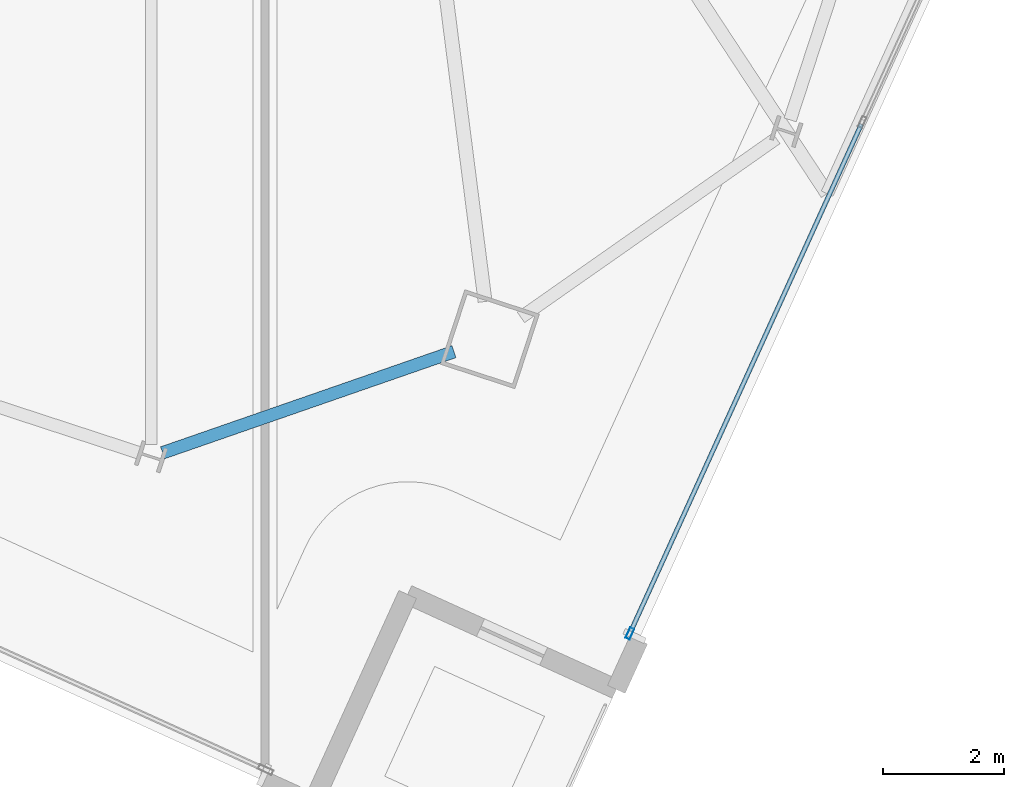
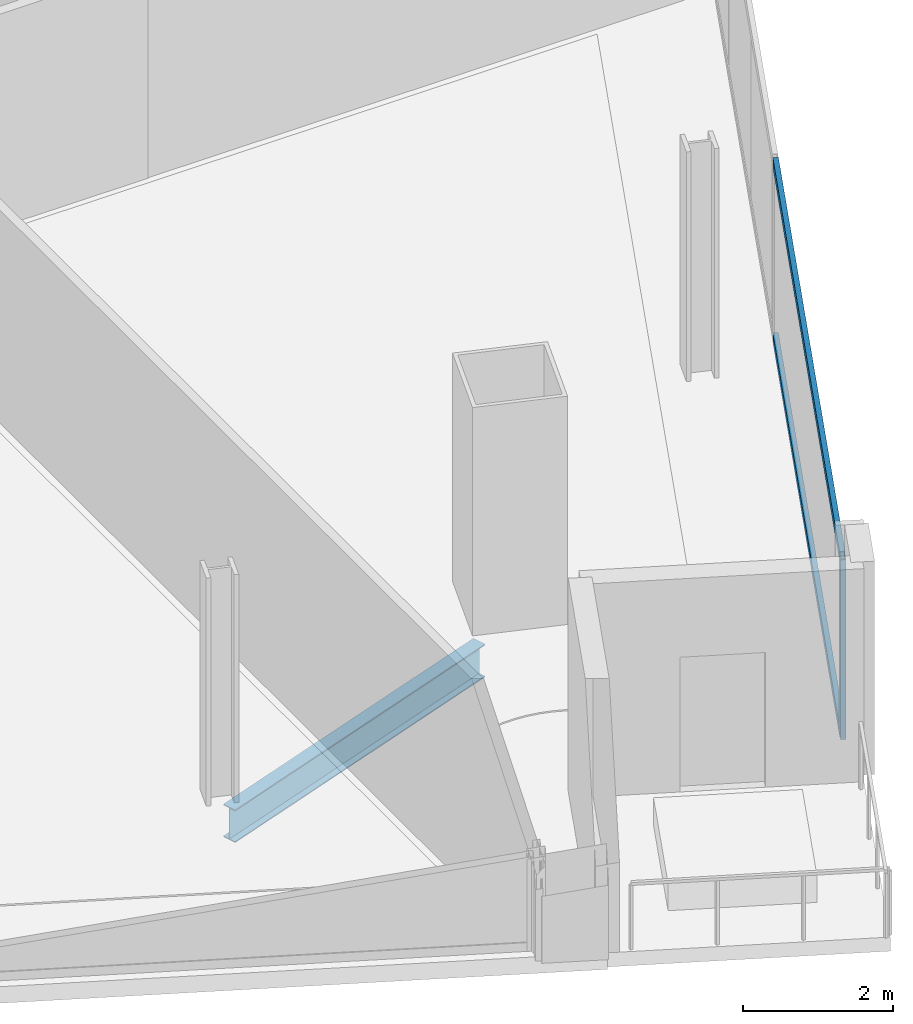
# One storey, part 8 of 26: 3 members, 1 beam, 1 element without a shape of its own.
"""IFC4 building model written with IfcOpenShell, lengths in metres."""

from ifc_helpers import new_model, si_unit, direction, frame, origin, origin_2d, place, context, subcontext, project, spatial, hollow_rectangle, i_section, extrude, material, material_profile, profile_set, type_object, element, aggregate, save


model = new_model("IFC4")

# Units and contexts
model_context = context("Model", 3, precision=1e-05, world=origin(), true_north=direction((0.0, 1.0)))
body_context = subcontext(model_context, "Body", "Model", "MODEL_VIEW")
ifc_project = project(units=[si_unit("LENGTHUNIT", "METRE"), si_unit("AREAUNIT", "SQUARE_METRE"), si_unit("VOLUMEUNIT", "CUBIC_METRE"), si_unit("PLANEANGLEUNIT", "RADIAN"), si_unit("MASSUNIT", "GRAM", prefix="KILO")], contexts=[model_context])

# Site, building, storey
site_placement = place(None, origin())
site = spatial("IfcSite", under=ifc_project, at=site_placement, CompositionType="ELEMENT")
building_placement = place(site_placement, origin())
building = spatial("IfcBuilding", under=site, at=building_placement, Name="Haldenkirk Collegiate Tower", CompositionType="ELEMENT")
storey_placement = place(building_placement, frame((0.0, 0.0, 248.699951171875)))
storey = spatial("IfcBuildingStorey", under=building, at=storey_placement, Name="L62", CompositionType="ELEMENT", Elevation=248.699951171875)

# Beam
ifc_material_1 = material(Name="Steel ASTM A992 Grade 50", Category="steel")
ifc_material_profile_1 = material_profile(ifc_material_1, i_section(OverallWidth=0.2099609375, OverallDepth=0.537109375, WebThickness=0.010986328125, FlangeThickness=0.017333984375, at=origin_2d()), Name="W21X68")
ifc_profile_set_1 = profile_set([ifc_material_profile_1], Name="Steel ASTM A992 Grade 50")
beam_type = type_object("IfcBeamType", Name="BM-SPANDREL-W21X68", PredefinedType="SPANDREL", material=ifc_profile_set_1)
beam_placement = place(storey_placement, frame((41.302490234375, 2.56103515625, -0.538330078125), z_axis=(0.944700169719, 0.327935343221, 0.0), x_axis=(-0.327935343221, 0.944700169719, 0.0)))
element("IfcBeam", 1, at=beam_placement, inside=storey, type_object=beam_type, Name="L62 perimeter spandrel beam 16", PredefinedType="SPANDREL", context=body_context, shape_type="SweptSolid", body=[
    extrude(i_section(OverallWidth=0.2099609375, OverallDepth=0.537109375, WebThickness=0.010986328125, FlangeThickness=0.017333984375, at=origin_2d()), origin(), (0.0, 0.0, 1.0), 5.113037109375),
])

# Curtain wall, members
ifc_material_2 = material(Name="Anodised architectural bronze aluminium", Category="aluminium")
curtain_wall_type = type_object("IfcCurtainWallType", Name="CW-SYS2-CONCAVE", PredefinedType="USERDEFINED", material=ifc_material_2)
curtain_wall_placement = place(storey_placement, origin())
curtain_wall = element("IfcCurtainWall", 2, at=curtain_wall_placement, inside=storey, type_object=curtain_wall_type, Name="L62 South concave recessed bronze-anodised curtain wall", ObjectType="UNITISED CURTAIN WALL", PredefinedType="USERDEFINED")
ifc_material_profile_2 = material_profile(ifc_material_2, hollow_rectangle(XDim=0.074951171875, YDim=0.18994140625, WallThickness=0.0048828125, at=origin_2d()), Name="CW-MUL-02")
ifc_profile_set_2 = profile_set([ifc_material_profile_2], Name="Anodised architectural bronze aluminium")
member_type_1 = type_object("IfcMemberType", Name="CW-MUL-02", PredefinedType="MULLION", material=ifc_profile_set_2)
member_1_placement = place(storey_placement, frame((49.049072265625, -0.43408203125, 0.0), z_axis=(0.0, 0.0, 1.0), x_axis=(0.910323160651, -0.413898228049, 0.0)))
member_1 = element("IfcMember", 3, at=member_1_placement, type_object=member_type_1, Name="CW-02 mullion 5", PredefinedType="MULLION", context=body_context, shape_type="SweptSolid", body=[
    extrude(hollow_rectangle(XDim=0.074951171875, YDim=0.18994140625, WallThickness=0.0048828125, at=origin_2d()), origin(), (0.0, 0.0, 1.0), 2.93798828125),
])
ifc_material_profile_3 = material_profile(ifc_material_2, hollow_rectangle(XDim=0.074951171875, YDim=0.159912109375, WallThickness=0.0048828125, at=origin_2d()), Name="CW-TRN-02")
ifc_profile_set_3 = profile_set([ifc_material_profile_3], Name="Anodised architectural bronze aluminium")
member_type_2 = type_object("IfcMemberType", Name="CW-TRN-02", PredefinedType="USERDEFINED", material=ifc_profile_set_3)
member_2_placement = place(storey_placement, frame((52.887939453125, 8.00927734375, 0.03759765625), z_axis=(-0.413882592615, -0.910330269479, 0.0), x_axis=(0.910330269479, -0.413882592615, 0.0)))
member_2 = element("IfcMember", 4, at=member_2_placement, type_object=member_type_2, Name="CW-02 transom 4.1", ObjectType="TRANSOM", PredefinedType="USERDEFINED", context=body_context, shape_type="SweptSolid", body=[
    extrude(hollow_rectangle(XDim=0.074951171875, YDim=0.159912109375, WallThickness=0.0048828125, at=origin_2d()), origin(), (0.0, 0.0, 1.0), 9.237548828125),
])
member_3_placement = place(storey_placement, frame((52.887939453125, 8.00927734375, 2.900634765625), z_axis=(-0.413882592615, -0.910330269479, 0.0), x_axis=(0.910330269479, -0.413882592615, 0.0)))
member_3 = element("IfcMember", 5, at=member_3_placement, type_object=member_type_2, Name="CW-02 transom 4.2", ObjectType="TRANSOM", PredefinedType="USERDEFINED", context=body_context, shape_type="SweptSolid", body=[
    extrude(hollow_rectangle(XDim=0.074951171875, YDim=0.159912109375, WallThickness=0.0048828125, at=origin_2d()), origin(), (0.0, 0.0, 1.0), 9.237548828125),
])
aggregate(curtain_wall, [member_1, member_2, member_3])

save(model, "model.ifc")
